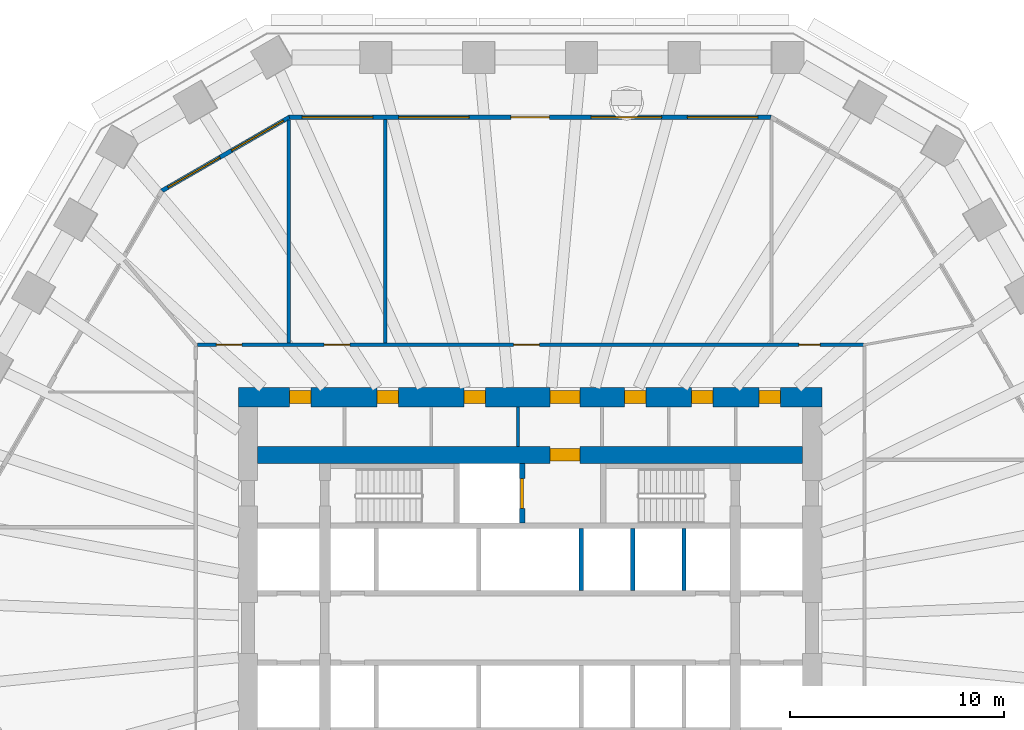
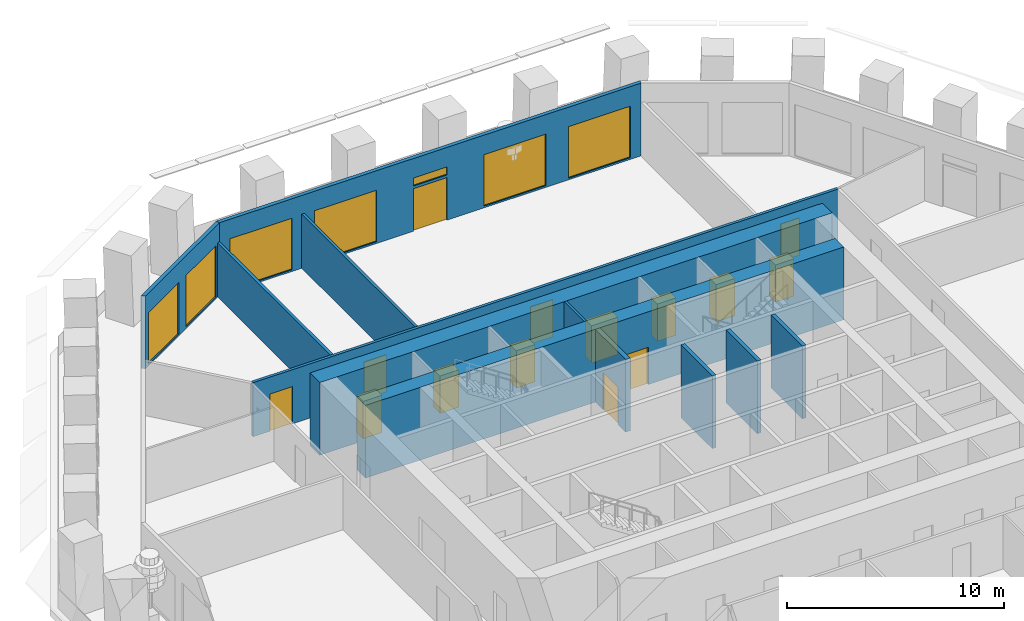
# One storey, part 7 of 12: 14 doors, 12 walls, 7 windows, 21 openings.
"""IFC4 building model written with IfcOpenShell, lengths in metres."""

from ifc_helpers import new_model, si_unit, direction, frame, frame_2d, origin, place, context, subcontext, project, spatial, polyline, rectangle, outline, extrude, material, layer, layer_set, type_object, element, fill, save


model = new_model("IFC4")

# Units and contexts
model_context = context("Model", 3, precision=1e-05, world=origin(), true_north=direction((0.0, 1.0)))
body_context = subcontext(model_context, "Body", "Model", "MODEL_VIEW")
ifc_project = project(units=[si_unit("LENGTHUNIT", "METRE"), si_unit("AREAUNIT", "SQUARE_METRE"), si_unit("VOLUMEUNIT", "CUBIC_METRE"), si_unit("PLANEANGLEUNIT", "RADIAN"), si_unit("MASSUNIT", "GRAM", prefix="KILO")], contexts=[model_context])

# Site, building, storey
site_placement = place(None, origin())
site = spatial("IfcSite", under=ifc_project, at=site_placement, CompositionType="ELEMENT")
building_placement = place(site_placement, origin())
building = spatial("IfcBuilding", under=site, at=building_placement, Name="Frailejon Research Tower", CompositionType="ELEMENT")
storey_placement = place(building_placement, frame((0.0, 0.0, 54.199951171875)))
storey = spatial("IfcBuildingStorey", under=building, at=storey_placement, Name="L12", CompositionType="ELEMENT", Elevation=54.199951171875)

# Wall
ifc_material_1 = material(Name="Plasterboard on steel studs", Category="steel")
ifc_layer_1 = layer(ifc_material_1, 0.125)
ifc_layer_set_1 = layer_set([ifc_layer_1], Name="Core partition 125")
wall_type_1 = type_object("IfcWallType", Name="Core partition 125", PredefinedType="PARTITIONING", material=ifc_layer_set_1)
wall_1_placement = place(storey_placement, frame((-0.5625, 8.5, 0.0), z_axis=(0.0, 0.0, 1.0), x_axis=(0.0, 1.0, 0.0)))
element("IfcWall", 1, at=wall_1_placement, inside=storey, type_object=wall_type_1, Name="Core partition", PredefinedType="PARTITIONING", context=body_context, shape_type="SweptSolid", body=[
    extrude(rectangle(XDim=1.85009765625, YDim=0.125, at=frame_2d((0.925048828125, 0.0))), origin(), (0.0, 0.0, 1.0), 4.10009765625),
])

# Wall, opening, door
ifc_material_2 = material(Name="Concrete C70/85", Category="concrete")
ifc_layer_2 = layer(ifc_material_2, 0.800048828125)
ifc_layer_set_2 = layer_set([ifc_layer_2], Name="Core shear wall 800 C70/85")
wall_type_2 = type_object("IfcWallType", Name="Core shear wall 800 C70/85", PredefinedType="SHEAR", material=ifc_layer_set_2)
wall_2_placement = place(storey_placement, frame((-12.75, 8.10009765625, 0.0), z_axis=(0.0, 0.0, 1.0), x_axis=(1.0, 0.0, 0.0)))
wall_2 = element("IfcWall", 2, at=wall_2_placement, inside=storey, type_object=wall_type_2, Name="Core shear wall", PredefinedType="SHEAR", context=body_context, shape_type="SweptSolid", body=[
    extrude(rectangle(XDim=25.5, YDim=0.800048828125, at=frame_2d((12.75, 0.0))), origin(), (0.0, 0.0, 1.0), 4.10009765625),
])
opening_1_placement = place(wall_2_placement, frame((13.675048828125, 0.0, 0.0)))
opening_1 = element("IfcOpeningElement", 3, at=opening_1_placement, cuts=wall_2, Name="Opening D9", PredefinedType="OPENING", context=body_context, shape_type="SweptSolid", body=[
    extrude(rectangle(XDim=1.39990234375, YDim=2.10009765625, at=frame_2d((0.699951171875, 1.050048828125))), frame((0.0, 0.409912109375, 0.0), z_axis=(0.0, -1.0, 0.0), x_axis=(1.0, 0.0, 0.0)), (0.0, 0.0, 1.0), 0.820068359375),
])
ifc_material_3 = material(Name="Steel", Category="steel")
door_type_1 = type_object("IfcDoorType", Name="Goods lobby door", OperationType="DOUBLE_DOOR_SINGLE_SWING", PredefinedType="DOOR", material=ifc_material_3)
door_1_placement = place(opening_1_placement, origin())
door_1 = element("IfcDoor", 4, at=door_1_placement, inside=storey, type_object=door_type_1, Name="Goods lobby door", OperationType="DOUBLE_DOOR_SINGLE_SWING", OverallHeight=2.10009765625, OverallWidth=1.39990234375, PredefinedType="DOOR", context=body_context, shape_type="SweptSolid", body=[
    extrude(rectangle(XDim=1.39990234375, YDim=2.10009765625, at=frame_2d((0.699951171875, 1.050048828125))), frame((0.0, 0.300048828125, 0.0), z_axis=(0.0, -1.0, 0.0), x_axis=(1.0, 0.0, 0.0)), (0.0, 0.0, 1.0), 0.60009765625),
])
fill(opening_1, door_1)

# Wall, openings, doors
ifc_material_4 = material(Name="Concrete C70/85", Category="concrete")
ifc_layer_3 = layer(ifc_material_4, 0.89990234375)
ifc_layer_set_3 = layer_set([ifc_layer_3], Name="Core shear wall 900 C70/85")
wall_type_3 = type_object("IfcWallType", Name="Core shear wall 900 C70/85", PredefinedType="SHEAR", material=ifc_layer_set_3)
wall_3_placement = place(storey_placement, frame((-13.64990234375, 10.800048828125, 0.0), z_axis=(0.0, 0.0, 1.0), x_axis=(1.0, 0.0, 0.0)))
wall_3 = element("IfcWall", 5, at=wall_3_placement, inside=storey, type_object=wall_type_3, Name="Core shear wall", PredefinedType="SHEAR", context=body_context, shape_type="SweptSolid", body=[
    extrude(rectangle(XDim=27.2998046875, YDim=0.89990234375, at=frame_2d((13.64990234375, 0.0))), origin(), (0.0, 0.0, 1.0), 4.10009765625),
])
opening_2_placement = place(wall_3_placement, frame((2.39990234375, 0.0, 0.0)))
opening_2 = element("IfcOpeningElement", 6, at=opening_2_placement, cuts=wall_3, Name="Opening D4", PredefinedType="OPENING", context=body_context, shape_type="SweptSolid", body=[
    extrude(rectangle(XDim=1.0, YDim=2.10009765625, at=frame_2d((0.5, 1.050048828125))), frame((0.0, 0.4599609375, 0.0), z_axis=(0.0, -1.0, 0.0), x_axis=(1.0, 0.0, 0.0)), (0.0, 0.0, 1.0), 0.919921875),
])
opening_3_placement = place(wall_3_placement, frame((6.49365234375, 0.0, 0.0)))
opening_3 = element("IfcOpeningElement", 7, at=opening_3_placement, cuts=wall_3, Name="Opening D4", PredefinedType="OPENING", context=body_context, shape_type="SweptSolid", body=[
    extrude(rectangle(XDim=1.0, YDim=2.10009765625, at=frame_2d((0.5, 1.050048828125))), frame((0.0, 0.4599609375, 0.0), z_axis=(0.0, -1.0, 0.0), x_axis=(1.0, 0.0, 0.0)), (0.0, 0.0, 1.0), 0.919921875),
])
opening_4_placement = place(wall_3_placement, frame((10.55615234375, 0.0, 0.0)))
opening_4 = element("IfcOpeningElement", 8, at=opening_4_placement, cuts=wall_3, Name="Opening D4", PredefinedType="OPENING", context=body_context, shape_type="SweptSolid", body=[
    extrude(rectangle(XDim=1.0, YDim=2.10009765625, at=frame_2d((0.5, 1.050048828125))), frame((0.0, 0.4599609375, 0.0), z_axis=(0.0, -1.0, 0.0), x_axis=(1.0, 0.0, 0.0)), (0.0, 0.0, 1.0), 0.919921875),
])
opening_5_placement = place(wall_3_placement, frame((18.0771484375, 0.0, 0.0)))
opening_5 = element("IfcOpeningElement", 9, at=opening_5_placement, cuts=wall_3, Name="Opening D4", PredefinedType="OPENING", context=body_context, shape_type="SweptSolid", body=[
    extrude(rectangle(XDim=1.0, YDim=2.10009765625, at=frame_2d((0.5, 1.050048828125))), frame((0.0, 0.4599609375, 0.0), z_axis=(0.0, -1.0, 0.0), x_axis=(1.0, 0.0, 0.0)), (0.0, 0.0, 1.0), 0.919921875),
])
opening_6_placement = place(wall_3_placement, frame((21.206298828125, 0.0, 0.0)))
opening_6 = element("IfcOpeningElement", 10, at=opening_6_placement, cuts=wall_3, Name="Opening D4", PredefinedType="OPENING", context=body_context, shape_type="SweptSolid", body=[
    extrude(rectangle(XDim=1.0, YDim=2.10009765625, at=frame_2d((0.5, 1.050048828125))), frame((0.0, 0.4599609375, 0.0), z_axis=(0.0, -1.0, 0.0), x_axis=(1.0, 0.0, 0.0)), (0.0, 0.0, 1.0), 0.919921875),
])
opening_7_placement = place(wall_3_placement, frame((24.36669921875, 0.0, 0.0)))
opening_7 = element("IfcOpeningElement", 11, at=opening_7_placement, cuts=wall_3, Name="Opening D4", PredefinedType="OPENING", context=body_context, shape_type="SweptSolid", body=[
    extrude(rectangle(XDim=1.0, YDim=2.10009765625, at=frame_2d((0.5, 1.050048828125))), frame((0.0, 0.4599609375, 0.0), z_axis=(0.0, -1.0, 0.0), x_axis=(1.0, 0.0, 0.0)), (0.0, 0.0, 1.0), 0.919921875),
])
opening_8_placement = place(wall_3_placement, frame((14.574951171875, 0.0, 0.0)))
opening_8 = element("IfcOpeningElement", 12, at=opening_8_placement, cuts=wall_3, Name="Opening D9", PredefinedType="OPENING", context=body_context, shape_type="SweptSolid", body=[
    extrude(rectangle(XDim=1.39990234375, YDim=2.10009765625, at=frame_2d((0.699951171875, 1.050048828125))), frame((0.0, 0.4599609375, 0.0), z_axis=(0.0, -1.0, 0.0), x_axis=(1.0, 0.0, 0.0)), (0.0, 0.0, 1.0), 0.919921875),
])
door_2_placement = place(opening_8_placement, origin())
door_2 = element("IfcDoor", 13, at=door_2_placement, inside=storey, type_object=door_type_1, Name="Passage door", OperationType="DOUBLE_DOOR_SINGLE_SWING", OverallHeight=2.10009765625, OverallWidth=1.39990234375, PredefinedType="DOOR", context=body_context, shape_type="SweptSolid", body=[
    extrude(rectangle(XDim=1.39990234375, YDim=2.10009765625, at=frame_2d((0.699951171875, 1.050048828125))), frame((0.0, 0.300048828125, 0.0), z_axis=(0.0, -1.0, 0.0), x_axis=(1.0, 0.0, 0.0)), (0.0, 0.0, 1.0), 0.60009765625),
])
fill(opening_8, door_2)
ifc_material_5 = material(Name="Steel", Category="steel")
door_type_2 = type_object("IfcDoorType", Name="Service door", OperationType="SINGLE_SWING_LEFT", PredefinedType="DOOR", material=ifc_material_5)
door_3_placement = place(opening_2_placement, origin())
door_3 = element("IfcDoor", 14, at=door_3_placement, inside=storey, type_object=door_type_2, Name="Room door", OperationType="SINGLE_SWING_RIGHT", OverallHeight=2.10009765625, OverallWidth=1.0, PredefinedType="DOOR", context=body_context, shape_type="SweptSolid", body=[
    extrude(rectangle(XDim=1.0, YDim=2.10009765625, at=frame_2d((0.5, 1.050048828125))), frame((0.0, 0.300048828125, 0.0), z_axis=(0.0, -1.0, 0.0), x_axis=(1.0, 0.0, 0.0)), (0.0, 0.0, 1.0), 0.60009765625),
])
fill(opening_2, door_3)
door_4_placement = place(opening_3_placement, origin())
door_4 = element("IfcDoor", 15, at=door_4_placement, inside=storey, type_object=door_type_2, Name="Room door", OperationType="SINGLE_SWING_LEFT", OverallHeight=2.10009765625, OverallWidth=1.0, PredefinedType="DOOR", context=body_context, shape_type="SweptSolid", body=[
    extrude(rectangle(XDim=1.0, YDim=2.10009765625, at=frame_2d((0.5, 1.050048828125))), frame((0.0, 0.300048828125, 0.0), z_axis=(0.0, -1.0, 0.0), x_axis=(1.0, 0.0, 0.0)), (0.0, 0.0, 1.0), 0.60009765625),
])
fill(opening_3, door_4)
door_5_placement = place(opening_4_placement, origin())
door_5 = element("IfcDoor", 16, at=door_5_placement, inside=storey, type_object=door_type_2, Name="Room door", OperationType="SINGLE_SWING_RIGHT", OverallHeight=2.10009765625, OverallWidth=1.0, PredefinedType="DOOR", context=body_context, shape_type="SweptSolid", body=[
    extrude(rectangle(XDim=1.0, YDim=2.10009765625, at=frame_2d((0.5, 1.050048828125))), frame((0.0, 0.300048828125, 0.0), z_axis=(0.0, -1.0, 0.0), x_axis=(1.0, 0.0, 0.0)), (0.0, 0.0, 1.0), 0.60009765625),
])
fill(opening_4, door_5)
door_6_placement = place(opening_5_placement, origin())
door_6 = element("IfcDoor", 17, at=door_6_placement, inside=storey, type_object=door_type_2, Name="Room door", OperationType="SINGLE_SWING_LEFT", OverallHeight=2.10009765625, OverallWidth=1.0, PredefinedType="DOOR", context=body_context, shape_type="SweptSolid", body=[
    extrude(rectangle(XDim=1.0, YDim=2.10009765625, at=frame_2d((0.5, 1.050048828125))), frame((0.0, 0.300048828125, 0.0), z_axis=(0.0, -1.0, 0.0), x_axis=(1.0, 0.0, 0.0)), (0.0, 0.0, 1.0), 0.60009765625),
])
fill(opening_5, door_6)
door_7_placement = place(opening_6_placement, origin())
door_7 = element("IfcDoor", 18, at=door_7_placement, inside=storey, type_object=door_type_2, Name="Room door", OperationType="SINGLE_SWING_RIGHT", OverallHeight=2.10009765625, OverallWidth=1.0, PredefinedType="DOOR", context=body_context, shape_type="SweptSolid", body=[
    extrude(rectangle(XDim=1.0, YDim=2.10009765625, at=frame_2d((0.5, 1.050048828125))), frame((0.0, 0.300048828125, 0.0), z_axis=(0.0, -1.0, 0.0), x_axis=(1.0, 0.0, 0.0)), (0.0, 0.0, 1.0), 0.60009765625),
])
fill(opening_6, door_7)
door_8_placement = place(opening_7_placement, origin())
door_8 = element("IfcDoor", 19, at=door_8_placement, inside=storey, type_object=door_type_2, Name="Room door", OperationType="SINGLE_SWING_LEFT", OverallHeight=2.10009765625, OverallWidth=1.0, PredefinedType="DOOR", context=body_context, shape_type="SweptSolid", body=[
    extrude(rectangle(XDim=1.0, YDim=2.10009765625, at=frame_2d((0.5, 1.050048828125))), frame((0.0, 0.300048828125, 0.0), z_axis=(0.0, -1.0, 0.0), x_axis=(1.0, 0.0, 0.0)), (0.0, 0.0, 1.0), 0.60009765625),
])
fill(opening_7, door_8)

ifc_material_6 = material(Name="Gypsum board and masonry partition", Category="masonry")
ifc_layer_4 = layer(ifc_material_6, 0.14990234375)
ifc_layer_set_4 = layer_set([ifc_layer_4], Name="Corridor wall EI 60, gypsum on steel studs 150")
wall_type_4 = type_object("IfcWallType", Name="Corridor wall EI 60, gypsum on steel studs 150", PredefinedType="PARTITIONING", material=ifc_layer_set_4)
wall_4_placement = place(storey_placement, frame((-15.574951171875, 13.25, 0.0), z_axis=(0.0, 0.0, 1.0), x_axis=(1.0, 0.0, 0.0)))
wall_4 = element("IfcWall", 20, at=wall_4_placement, inside=storey, type_object=wall_type_4, Name="T:IW:L12:002", PredefinedType="PARTITIONING", context=body_context, shape_type="SweptSolid", body=[
    extrude(rectangle(XDim=31.175048828125, YDim=0.14990234375, at=frame_2d((15.58740234375, 0.0))), origin(), (0.0, 0.0, 1.0), 3.050048828125),
])
opening_9_placement = place(wall_4_placement, frame((28.148193359375, 0.0, 0.0)))
opening_9 = element("IfcOpeningElement", 21, at=opening_9_placement, cuts=wall_4, Name="Opening D1421", PredefinedType="OPENING", context=body_context, shape_type="SweptSolid", body=[
    extrude(rectangle(XDim=1.0, YDim=2.10009765625, at=frame_2d((0.5, 1.050048828125))), frame((0.0, 0.0849609375, 0.0), z_axis=(0.0, -1.0, 0.0), x_axis=(1.0, 0.0, 0.0)), (0.0, 0.0, 1.0), 0.169921875),
])
opening_10_placement = place(wall_4_placement, frame((14.808349609375, 0.0, 0.0)))
opening_10 = element("IfcOpeningElement", 22, at=opening_10_placement, cuts=wall_4, Name="Opening D1422", PredefinedType="OPENING", context=body_context, shape_type="SweptSolid", body=[
    extrude(rectangle(XDim=1.199951171875, YDim=2.10009765625, at=frame_2d((0.60009765625, 1.050048828125))), frame((0.0, 0.0849609375, 0.0), z_axis=(0.0, -1.0, 0.0), x_axis=(1.0, 0.0, 0.0)), (0.0, 0.0, 1.0), 0.169921875),
])
opening_11_placement = place(wall_4_placement, frame((5.940185546875, 0.0, 0.0)))
opening_11 = element("IfcOpeningElement", 23, at=opening_11_placement, cuts=wall_4, Name="Opening D1423", PredefinedType="OPENING", context=body_context, shape_type="SweptSolid", body=[
    extrude(rectangle(XDim=1.199951171875, YDim=2.10009765625, at=frame_2d((0.60009765625, 1.050048828125))), frame((0.0, 0.0849609375, 0.0), z_axis=(0.0, -1.0, 0.0), x_axis=(1.0, 0.0, 0.0)), (0.0, 0.0, 1.0), 0.169921875),
])
opening_12_placement = place(wall_4_placement, frame((0.88916015625, 0.0, 0.0)))
opening_12 = element("IfcOpeningElement", 24, at=opening_12_placement, cuts=wall_4, Name="Opening D1424", PredefinedType="OPENING", context=body_context, shape_type="SweptSolid", body=[
    extrude(rectangle(XDim=1.199951171875, YDim=2.10009765625, at=frame_2d((0.60009765625, 1.050048828125))), frame((0.0, 0.0849609375, 0.0), z_axis=(0.0, -1.0, 0.0), x_axis=(1.0, 0.0, 0.0)), (0.0, 0.0, 1.0), 0.169921875),
])
ifc_material_7 = material(Name="Timber door leaf", Category="wood")
door_type_3 = type_object("IfcDoorType", Name="Door laboratory, timber, vision panel 1200", OperationType="NOTDEFINED", PredefinedType="DOOR", material=ifc_material_7)
door_9_placement = place(opening_10_placement, origin())
door_9 = element("IfcDoor", 25, at=door_9_placement, inside=storey, type_object=door_type_3, Name="D1422", OperationType="DOUBLE_DOOR_SINGLE_SWING", OverallHeight=2.10009765625, OverallWidth=1.199951171875, PredefinedType="DOOR", context=body_context, shape_type="SweptSolid", body=[
    extrude(rectangle(XDim=1.199951171875, YDim=2.10009765625, at=frame_2d((0.60009765625, 1.050048828125))), frame((0.0, 0.02490234375, 0.0), z_axis=(0.0, -1.0, 0.0), x_axis=(1.0, 0.0, 0.0)), (0.0, 0.0, 1.0), 0.050048828125),
])
fill(opening_10, door_9)
door_10_placement = place(opening_11_placement, origin())
door_10 = element("IfcDoor", 26, at=door_10_placement, inside=storey, type_object=door_type_3, Name="D1423", OperationType="DOUBLE_DOOR_SINGLE_SWING", OverallHeight=2.10009765625, OverallWidth=1.199951171875, PredefinedType="DOOR", context=body_context, shape_type="SweptSolid", body=[
    extrude(rectangle(XDim=1.199951171875, YDim=2.10009765625, at=frame_2d((0.60009765625, 1.050048828125))), frame((0.0, 0.02490234375, 0.0), z_axis=(0.0, -1.0, 0.0), x_axis=(1.0, 0.0, 0.0)), (0.0, 0.0, 1.0), 0.050048828125),
])
fill(opening_11, door_10)
door_11_placement = place(opening_12_placement, origin())
door_11 = element("IfcDoor", 27, at=door_11_placement, inside=storey, type_object=door_type_3, Name="D1424", OperationType="DOUBLE_DOOR_SINGLE_SWING", OverallHeight=2.10009765625, OverallWidth=1.199951171875, PredefinedType="DOOR", context=body_context, shape_type="SweptSolid", body=[
    extrude(rectangle(XDim=1.199951171875, YDim=2.10009765625, at=frame_2d((0.60009765625, 1.050048828125))), frame((0.0, 0.02490234375, 0.0), z_axis=(0.0, -1.0, 0.0), x_axis=(1.0, 0.0, 0.0)), (0.0, 0.0, 1.0), 0.050048828125),
])
fill(opening_12, door_11)
ifc_material_8 = material(Name="Timber door leaf", Category="wood")
door_type_4 = type_object("IfcDoorType", Name="Door single leaf, timber, steel frame 1000", OperationType="NOTDEFINED", PredefinedType="DOOR", material=ifc_material_8)
door_12_placement = place(opening_9_placement, origin())
door_12 = element("IfcDoor", 28, at=door_12_placement, inside=storey, type_object=door_type_4, Name="D1421", OperationType="SINGLE_SWING_LEFT", OverallHeight=2.10009765625, OverallWidth=1.0, PredefinedType="DOOR", context=body_context, shape_type="SweptSolid", body=[
    extrude(rectangle(XDim=1.0, YDim=2.10009765625, at=frame_2d((0.5, 1.050048828125))), frame((0.0, 0.02490234375, 0.0), z_axis=(0.0, -1.0, 0.0), x_axis=(1.0, 0.0, 0.0)), (0.0, 0.0, 1.0), 0.050048828125),
])
fill(opening_9, door_12)

# Walls
ifc_material_9 = material(Name="Gypsum board and masonry partition", Category="masonry")
ifc_layer_5 = layer(ifc_material_9, 0.14990234375)
ifc_layer_set_5 = layer_set([ifc_layer_5], Name="Laboratory partition, blockwork 150")
wall_type_5 = type_object("IfcWallType", Name="Laboratory partition, blockwork 150", PredefinedType="PARTITIONING", material=ifc_layer_set_5)
wall_5_placement = place(storey_placement, frame((-6.77587890625, 13.324951171875, 0.0), z_axis=(0.0, 0.0, 1.0), x_axis=(0.0, 1.0, 0.0)))
element("IfcWall", 29, at=wall_5_placement, inside=storey, type_object=wall_type_5, Name="T:IW:L12:008", PredefinedType="PARTITIONING", context=body_context, shape_type="SweptSolid", body=[
    extrude(rectangle(XDim=10.47509765625, YDim=0.14990234375, at=frame_2d((5.237548828125, 0.0))), origin(), (0.0, 0.0, 1.0), 3.050048828125),
])
wall_6_placement = place(storey_placement, frame((-11.29345703125, 13.324951171875, 0.0), z_axis=(0.0, 0.0, 1.0), x_axis=(0.0, 1.0, 0.0)))
element("IfcWall", 30, at=wall_6_placement, inside=storey, type_object=wall_type_5, Name="T:IW:L12:009", PredefinedType="PARTITIONING", context=body_context, shape_type="SweptSolid", body=[
    extrude(rectangle(XDim=10.444091796875, YDim=0.14990234375, at=frame_2d((5.22216796875, 0.0))), origin(), (0.0, 0.0, 1.0), 3.050048828125),
])
ifc_material_10 = material(Name="Concrete C70/85", Category="concrete")
ifc_layer_6 = layer(ifc_material_10, 0.199951171875)
ifc_layer_set_6 = layer_set([ifc_layer_6], Name="Shaft wall 200 C70/85")
wall_type_6 = type_object("IfcWallType", Name="Shaft wall 200 C70/85", PredefinedType="SOLIDWALL", material=ifc_layer_set_6)
for number, where, z_axis, x_axis, name in (
    (31, (2.39990234375, 1.75, 0.0), (0.0, 0.0, 1.0), (0.0, 1.0, 0.0), "Shaft wall"),
    (32, (4.800048828125, 1.75, 0.0), (0.0, 0.0, 1.0), (0.0, 1.0, 0.0), "Shaft wall"),
    (33, (7.199951171875, 1.75, 0.0), (0.0, 0.0, 1.0), (0.0, 1.0, 0.0), "Shaft wall"),
):
    element("IfcWall", number, at=place(storey_placement, frame(where, z_axis=z_axis, x_axis=x_axis)), inside=storey, type_object=wall_type_6, Name=name, PredefinedType="SOLIDWALL", context=body_context, shape_type="SweptSolid", body=[
        extrude(rectangle(XDim=2.89990234375, YDim=0.199951171875, at=frame_2d((1.449951171875, 0.0))), origin(), (0.0, 0.0, 1.0), 4.10009765625),
    ])

# Wall, opening, door
ifc_material_11 = material(Name="Concrete C70/85", Category="concrete")
ifc_layer_7 = layer(ifc_material_11, 0.25)
ifc_layer_set_7 = layer_set([ifc_layer_7], Name="Shaft wall 250 C70/85")
wall_type_7 = type_object("IfcWallType", Name="Shaft wall 250 C70/85", PredefinedType="SOLIDWALL", material=ifc_layer_set_7)
wall_7_placement = place(storey_placement, frame((-0.375, 4.89990234375, 0.0), z_axis=(0.0, 0.0, 1.0), x_axis=(0.0, 1.0, 0.0)))
wall_7 = element("IfcWall", 34, at=wall_7_placement, inside=storey, type_object=wall_type_7, Name="Shaft wall", PredefinedType="SOLIDWALL", context=body_context, shape_type="SweptSolid", body=[
    extrude(rectangle(XDim=2.800048828125, YDim=0.25, at=frame_2d((1.39990234375, 0.0))), origin(), (0.0, 0.0, 1.0), 4.10009765625),
])
opening_13_placement = place(wall_7_placement, frame((0.699951171875, 0.0, 0.0)))
opening_13 = element("IfcOpeningElement", 35, at=opening_13_placement, cuts=wall_7, Name="Opening LD2", PredefinedType="OPENING", context=body_context, shape_type="SweptSolid", body=[
    extrude(rectangle(XDim=1.39990234375, YDim=2.10009765625, at=frame_2d((0.699951171875, 1.050048828125))), frame((0.0, 0.135009765625, 0.0), z_axis=(0.0, -1.0, 0.0), x_axis=(1.0, 0.0, 0.0)), (0.0, 0.0, 1.0), 0.27001953125),
])
ifc_material_12 = material(Name="Stainless steel", Category="steel")
door_type_5 = type_object("IfcDoorType", Name="Goods landing door", OperationType="DOUBLE_DOOR_SLIDING", PredefinedType="DOOR", material=ifc_material_12)
door_13_placement = place(opening_13_placement, origin())
door_13 = element("IfcDoor", 36, at=door_13_placement, inside=storey, type_object=door_type_5, Name="Lift landing door", OperationType="DOUBLE_DOOR_SLIDING", OverallHeight=2.10009765625, OverallWidth=1.39990234375, PredefinedType="DOOR", context=body_context, shape_type="SweptSolid", body=[
    extrude(rectangle(XDim=1.39990234375, YDim=2.10009765625, at=frame_2d((0.699951171875, 1.050048828125))), frame((0.0, 0.074951171875, 0.0), z_axis=(0.0, -1.0, 0.0), x_axis=(1.0, 0.0, 0.0)), (0.0, 0.0, 1.0), 0.14990234375),
])
fill(opening_13, door_13)

# Wall, openings, door, windows
ifc_material_13 = material(Name="Concrete C40/50 precast window wall panel", Category="concrete")
ifc_layer_8 = layer(ifc_material_13, 0.199951171875)
ifc_layer_set_8 = layer_set([ifc_layer_8], Name="Window wall 200")
wall_type_8 = type_object("IfcWallType", Name="Window wall 200", PredefinedType="SOLIDWALL", material=ifc_layer_set_8)
wall_8_placement = place(storey_placement, frame((11.2666015625, 23.89990234375, 0.0), z_axis=(0.0, 0.0, 1.0), x_axis=(-1.0, 0.0, 0.0)))
wall_8 = element("IfcWall", 37, at=wall_8_placement, inside=storey, type_object=wall_type_8, Name="Exterior wall L12", PredefinedType="SOLIDWALL", context=body_context, shape_type="SweptSolid", body=[
    extrude(outline(polyline([(-0.02685546875, -0.10009765625), (0.999755859375, -0.10009765625), (2.026611328125, -0.10009765625), (3.05322265625, -0.10009765625), (4.079833984375, -0.10009765625), (5.1064453125, -0.10009765625), (6.13330078125, -0.10009765625), (7.159912109375, -0.10009765625), (8.1865234375, -0.10009765625), (9.213134765625, -0.10009765625), (10.239990234375, -0.10009765625), (11.2666015625, -0.10009765625), (12.293212890625, -0.10009765625), (13.320068359375, -0.10009765625), (14.3466796875, -0.10009765625), (15.373291015625, -0.10009765625), (16.39990234375, -0.10009765625), (17.4267578125, -0.10009765625), (18.453369140625, -0.10009765625), (19.47998046875, -0.10009765625), (20.506591796875, -0.10009765625), (21.533447265625, -0.10009765625), (22.56005859375, -0.10009765625), (22.50634765625, 0.10009765625), (21.484619140625, 0.10009765625), (20.462646484375, 0.10009765625), (19.44091796875, 0.10009765625), (18.419189453125, 0.10009765625), (17.3974609375, 0.10009765625), (16.37548828125, 0.10009765625), (15.353759765625, 0.10009765625), (14.33203125, 0.10009765625), (13.310302734375, 0.10009765625), (12.288330078125, 0.10009765625), (11.2666015625, 0.10009765625), (10.244873046875, 0.10009765625), (9.222900390625, 0.10009765625), (8.201171875, 0.10009765625), (7.179443359375, 0.10009765625), (6.15771484375, 0.10009765625), (5.1357421875, 0.10009765625), (4.114013671875, 0.10009765625), (3.09228515625, 0.10009765625), (2.070556640625, 0.10009765625), (1.048583984375, 0.10009765625), (0.02685546875, 0.10009765625), (-0.02685546875, -0.10009765625)])), origin(), (0.0, 0.0, 1.0), 4.10009765625),
])
opening_14_placement = place(wall_8_placement, frame((0.603271484375, 0.0, 0.10009765625)))
opening_14 = element("IfcOpeningElement", 38, at=opening_14_placement, cuts=wall_8, Name="Opening W5", PredefinedType="OPENING", context=body_context, shape_type="SweptSolid", body=[
    extrude(rectangle(XDim=3.300048828125, YDim=2.89990234375, at=frame_2d((1.64990234375, 1.449951171875))), frame((0.0, 0.10986328125, 0.0), z_axis=(0.0, -1.0, 0.0), x_axis=(1.0, 0.0, 0.0)), (0.0, 0.0, 1.0), 0.219970703125),
])
opening_15_placement = place(wall_8_placement, frame((5.110107421875, 0.0, 0.10009765625)))
opening_15 = element("IfcOpeningElement", 39, at=opening_15_placement, cuts=wall_8, Name="Opening W5", PredefinedType="OPENING", context=body_context, shape_type="SweptSolid", body=[
    extrude(rectangle(XDim=3.300048828125, YDim=2.89990234375, at=frame_2d((1.64990234375, 1.449951171875))), frame((0.0, 0.10986328125, 0.0), z_axis=(0.0, -1.0, 0.0), x_axis=(1.0, 0.0, 0.0)), (0.0, 0.0, 1.0), 0.219970703125),
])
opening_16_placement = place(wall_8_placement, frame((10.36669921875, 0.0, 0.0)))
opening_16 = element("IfcOpeningElement", 40, at=opening_16_placement, cuts=wall_8, Name="Opening LG12-2", PredefinedType="OPENING", context=body_context, shape_type="SweptSolid", body=[
    extrude(rectangle(XDim=1.800048828125, YDim=2.39990234375, at=frame_2d((0.89990234375, 1.199951171875))), frame((0.0, 0.10986328125, 0.0), z_axis=(0.0, -1.0, 0.0), x_axis=(1.0, 0.0, 0.0)), (0.0, 0.0, 1.0), 0.219970703125),
])
opening_17_placement = place(wall_8_placement, frame((10.36669921875, 0.0, 2.550048828125)))
opening_17 = element("IfcOpeningElement", 41, at=opening_17_placement, cuts=wall_8, Name="Opening W1", PredefinedType="OPENING", context=body_context, shape_type="SweptSolid", body=[
    extrude(rectangle(XDim=1.800048828125, YDim=0.449951171875, at=frame_2d((0.89990234375, 0.22509765625))), frame((0.0, 0.10986328125, 0.0), z_axis=(0.0, -1.0, 0.0), x_axis=(1.0, 0.0, 0.0)), (0.0, 0.0, 1.0), 0.219970703125),
])
opening_18_placement = place(wall_8_placement, frame((14.123291015625, 0.0, 0.10009765625)))
opening_18 = element("IfcOpeningElement", 42, at=opening_18_placement, cuts=wall_8, Name="Opening W5", PredefinedType="OPENING", context=body_context, shape_type="SweptSolid", body=[
    extrude(rectangle(XDim=3.300048828125, YDim=2.89990234375, at=frame_2d((1.64990234375, 1.449951171875))), frame((0.0, 0.10986328125, 0.0), z_axis=(0.0, -1.0, 0.0), x_axis=(1.0, 0.0, 0.0)), (0.0, 0.0, 1.0), 0.219970703125),
])
opening_19_placement = place(wall_8_placement, frame((18.6298828125, 0.0, 0.10009765625)))
opening_19 = element("IfcOpeningElement", 43, at=opening_19_placement, cuts=wall_8, Name="Opening W5", PredefinedType="OPENING", context=body_context, shape_type="SweptSolid", body=[
    extrude(rectangle(XDim=3.300048828125, YDim=2.89990234375, at=frame_2d((1.64990234375, 1.449951171875))), frame((0.0, 0.10986328125, 0.0), z_axis=(0.0, -1.0, 0.0), x_axis=(1.0, 0.0, 0.0)), (0.0, 0.0, 1.0), 0.219970703125),
])
ifc_material_14 = material(Name="Aluminium framed glazed door leaf", Category="aluminium")
door_type_6 = type_object("IfcDoorType", Name="Loggia door 1800x2400", OperationType="DOUBLE_DOOR_SINGLE_SWING", PredefinedType="DOOR", material=ifc_material_14)
door_14_placement = place(opening_16_placement, origin())
door_14 = element("IfcDoor", 44, at=door_14_placement, inside=storey, type_object=door_type_6, Name="Door LG12-2", OperationType="DOUBLE_DOOR_SINGLE_SWING", OverallHeight=2.39990234375, OverallWidth=1.800048828125, PredefinedType="DOOR", context=body_context, shape_type="SweptSolid", body=[
    extrude(rectangle(XDim=1.800048828125, YDim=2.39990234375, at=frame_2d((0.89990234375, 1.199951171875))), frame((0.0, 0.02490234375, 0.0), z_axis=(0.0, -1.0, 0.0), x_axis=(1.0, 0.0, 0.0)), (0.0, 0.0, 1.0), 0.050048828125),
])
fill(opening_16, door_14)
ifc_material_15 = material(Name="Aluminium framed double glazing", Category="aluminium")
window_type_1 = type_object("IfcWindowType", Name="Window 1800x450", PartitioningType="SINGLE_PANEL", PredefinedType="WINDOW", material=ifc_material_15)
window_1_placement = place(opening_17_placement, origin())
window_1 = element("IfcWindow", 45, at=window_1_placement, inside=storey, type_object=window_type_1, Name="Window L12", OverallHeight=0.449951171875, OverallWidth=1.800048828125, PartitioningType="SINGLE_PANEL", PredefinedType="WINDOW", context=body_context, shape_type="SweptSolid", body=[
    extrude(rectangle(XDim=1.800048828125, YDim=0.449951171875, at=frame_2d((0.89990234375, 0.22509765625))), frame((0.0, 0.030029296875, 0.0), z_axis=(0.0, -1.0, 0.0), x_axis=(1.0, 0.0, 0.0)), (0.0, 0.0, 1.0), 0.06005859375),
])
fill(opening_17, window_1)
ifc_material_16 = material(Name="Aluminium framed double glazing", Category="aluminium")
window_type_2 = type_object("IfcWindowType", Name="Window 3300x2900", PartitioningType="SINGLE_PANEL", PredefinedType="WINDOW", material=ifc_material_16)
window_2_placement = place(opening_14_placement, origin())
window_2 = element("IfcWindow", 46, at=window_2_placement, inside=storey, type_object=window_type_2, Name="Window L12", OverallHeight=2.89990234375, OverallWidth=3.300048828125, PartitioningType="SINGLE_PANEL", PredefinedType="WINDOW", context=body_context, shape_type="SweptSolid", body=[
    extrude(rectangle(XDim=3.300048828125, YDim=2.89990234375, at=frame_2d((1.64990234375, 1.449951171875))), frame((0.0, 0.030029296875, 0.0), z_axis=(0.0, -1.0, 0.0), x_axis=(1.0, 0.0, 0.0)), (0.0, 0.0, 1.0), 0.06005859375),
])
fill(opening_14, window_2)
window_3_placement = place(opening_15_placement, origin())
window_3 = element("IfcWindow", 47, at=window_3_placement, inside=storey, type_object=window_type_2, Name="Window L12", OverallHeight=2.89990234375, OverallWidth=3.300048828125, PartitioningType="SINGLE_PANEL", PredefinedType="WINDOW", context=body_context, shape_type="SweptSolid", body=[
    extrude(rectangle(XDim=3.300048828125, YDim=2.89990234375, at=frame_2d((1.64990234375, 1.449951171875))), frame((0.0, 0.030029296875, 0.0), z_axis=(0.0, -1.0, 0.0), x_axis=(1.0, 0.0, 0.0)), (0.0, 0.0, 1.0), 0.06005859375),
])
fill(opening_15, window_3)
window_4_placement = place(opening_18_placement, origin())
window_4 = element("IfcWindow", 48, at=window_4_placement, inside=storey, type_object=window_type_2, Name="Window L12", OverallHeight=2.89990234375, OverallWidth=3.300048828125, PartitioningType="SINGLE_PANEL", PredefinedType="WINDOW", context=body_context, shape_type="SweptSolid", body=[
    extrude(rectangle(XDim=3.300048828125, YDim=2.89990234375, at=frame_2d((1.64990234375, 1.449951171875))), frame((0.0, 0.030029296875, 0.0), z_axis=(0.0, -1.0, 0.0), x_axis=(1.0, 0.0, 0.0)), (0.0, 0.0, 1.0), 0.06005859375),
])
fill(opening_18, window_4)
window_5_placement = place(opening_19_placement, origin())
window_5 = element("IfcWindow", 49, at=window_5_placement, inside=storey, type_object=window_type_2, Name="Window L12", OverallHeight=2.89990234375, OverallWidth=3.300048828125, PartitioningType="SINGLE_PANEL", PredefinedType="WINDOW", context=body_context, shape_type="SweptSolid", body=[
    extrude(rectangle(XDim=3.300048828125, YDim=2.89990234375, at=frame_2d((1.64990234375, 1.449951171875))), frame((0.0, 0.030029296875, 0.0), z_axis=(0.0, -1.0, 0.0), x_axis=(1.0, 0.0, 0.0)), (0.0, 0.0, 1.0), 0.06005859375),
])
fill(opening_19, window_5)

# Wall, openings, windows
wall_9_placement = place(storey_placement, frame((-11.2666015625, 23.89990234375, 0.0), z_axis=(0.0, 0.0, 1.0), x_axis=(-0.866029458321, -0.49999297727, 0.0)))
wall_9 = element("IfcWall", 50, at=wall_9_placement, inside=storey, type_object=wall_type_8, Name="Exterior wall L12", PredefinedType="SOLIDWALL", context=body_context, shape_type="SweptSolid", body=[
    extrude(outline(polyline([(-0.02685546875, -0.10009765625), (1.1279296875, -0.10009765625), (2.282470703125, -0.10009765625), (3.437255859375, -0.10009765625), (4.592041015625, -0.10009765625), (5.74658203125, -0.10009765625), (6.9013671875, -0.10009765625), (6.84765625, 0.10009765625), (5.7109375, 0.10009765625), (4.573974609375, 0.10009765625), (3.437255859375, 0.10009765625), (2.300537109375, 0.10009765625), (1.16357421875, 0.10009765625), (0.02685546875, 0.10009765625), (-0.02685546875, -0.10009765625)])), origin(), (0.0, 0.0, 1.0), 4.10009765625),
])
opening_20_placement = place(wall_9_placement, frame((0.318603515625, 0.0, 0.10009765625)))
opening_20 = element("IfcOpeningElement", 51, at=opening_20_placement, cuts=wall_9, Name="Opening W3", PredefinedType="OPENING", context=body_context, shape_type="SweptSolid", body=[
    extrude(rectangle(XDim=2.800048828125, YDim=2.89990234375, at=frame_2d((1.39990234375, 1.449951171875))), frame((0.0, 0.10986328125, 0.0), z_axis=(0.0, -1.0, 0.0), x_axis=(1.0, 0.0, 0.0)), (0.0, 0.0, 1.0), 0.219970703125),
])
opening_21_placement = place(wall_9_placement, frame((3.756103515625, 0.0, 0.10009765625)))
opening_21 = element("IfcOpeningElement", 52, at=opening_21_placement, cuts=wall_9, Name="Opening W3", PredefinedType="OPENING", context=body_context, shape_type="SweptSolid", body=[
    extrude(rectangle(XDim=2.800048828125, YDim=2.89990234375, at=frame_2d((1.39990234375, 1.449951171875))), frame((0.0, 0.10986328125, 0.0), z_axis=(0.0, -1.0, 0.0), x_axis=(1.0, 0.0, 0.0)), (0.0, 0.0, 1.0), 0.219970703125),
])
ifc_material_17 = material(Name="Aluminium framed double glazing", Category="aluminium")
window_type_3 = type_object("IfcWindowType", Name="Window 2800x2900", PartitioningType="SINGLE_PANEL", PredefinedType="WINDOW", material=ifc_material_17)
window_6_placement = place(opening_20_placement, origin())
window_6 = element("IfcWindow", 53, at=window_6_placement, inside=storey, type_object=window_type_3, Name="Window L12", OverallHeight=2.89990234375, OverallWidth=2.800048828125, PartitioningType="SINGLE_PANEL", PredefinedType="WINDOW", context=body_context, shape_type="SweptSolid", body=[
    extrude(rectangle(XDim=2.800048828125, YDim=2.89990234375, at=frame_2d((1.39990234375, 1.449951171875))), frame((0.0, 0.030029296875, 0.0), z_axis=(0.0, -1.0, 0.0), x_axis=(1.0, 0.0, 0.0)), (0.0, 0.0, 1.0), 0.06005859375),
])
fill(opening_20, window_6)
window_7_placement = place(opening_21_placement, origin())
window_7 = element("IfcWindow", 54, at=window_7_placement, inside=storey, type_object=window_type_3, Name="Window L12", OverallHeight=2.89990234375, OverallWidth=2.800048828125, PartitioningType="SINGLE_PANEL", PredefinedType="WINDOW", context=body_context, shape_type="SweptSolid", body=[
    extrude(rectangle(XDim=2.800048828125, YDim=2.89990234375, at=frame_2d((1.39990234375, 1.449951171875))), frame((0.0, 0.030029296875, 0.0), z_axis=(0.0, -1.0, 0.0), x_axis=(1.0, 0.0, 0.0)), (0.0, 0.0, 1.0), 0.06005859375),
])
fill(opening_21, window_7)

save(model, "model.ifc")
